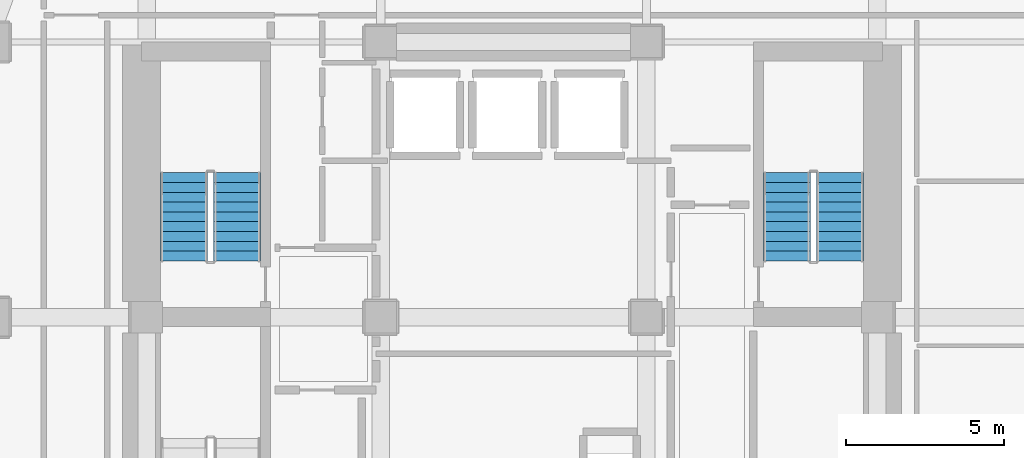
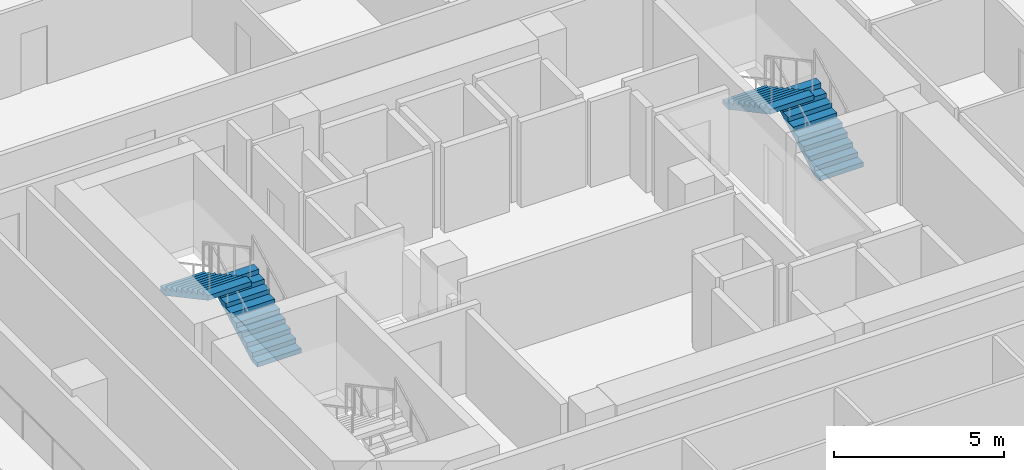
# One storey, part 7 of 11: 4 stair flights, 2 elements without a shape of their own.
"""IFC4 building model written with IfcOpenShell, lengths in metres."""

from ifc_helpers import new_model, si_unit, direction, frame, origin, place, context, subcontext, project, spatial, polyline, outline, extrude, material, type_object, element, aggregate, save


model = new_model("IFC4")

# Units and contexts
model_context = context("Model", 3, precision=1e-05, world=origin(), true_north=direction((0.0, 1.0)))
body_context = subcontext(model_context, "Body", "Model", "MODEL_VIEW")
ifc_project = project(units=[si_unit("LENGTHUNIT", "METRE"), si_unit("AREAUNIT", "SQUARE_METRE"), si_unit("VOLUMEUNIT", "CUBIC_METRE"), si_unit("PLANEANGLEUNIT", "RADIAN"), si_unit("MASSUNIT", "GRAM", prefix="KILO")], contexts=[model_context])

# Site, building, storey
site_placement = place(None, origin())
site = spatial("IfcSite", under=ifc_project, at=site_placement, CompositionType="ELEMENT")
building_placement = place(site_placement, origin())
building = spatial("IfcBuilding", under=site, at=building_placement, Name="Solanera Arch Residences", CompositionType="ELEMENT")
storey_placement = place(building_placement, frame((0.0, 0.0, 75.1201171875)))
storey = spatial("IfcBuildingStorey", under=building, at=storey_placement, Name="L21", CompositionType="ELEMENT", Elevation=75.1201171875)

# Stair, stair flights
ifc_material_1 = material(Name="Concrete C40/50 (f'c = 45 MPa)", Category="concrete")
stair_type = type_object("IfcStairType", Name="Tower Dogleg Exit Stair 1480", PredefinedType="HALF_TURN_STAIR", material=ifc_material_1)
stair_1_placement = place(storey_placement, origin())
stair_1 = element("IfcStair", 1, at=stair_1_placement, inside=storey, type_object=stair_type, Name="L21 Tower Core Exit Stair 1", PredefinedType="HALF_TURN_STAIR")
ifc_material_2 = material(Name="Concrete C40/50 (f'c = 45 MPa)", Category="concrete")
stair_flight_type = type_object("IfcStairFlightType", Name="Tower Precast Stair Flight 1480", PredefinedType="STRAIGHT", material=ifc_material_2)
stair_flight_1_placement = place(storey_placement, frame((16.260009765625, 32.47998046875, 0.0), z_axis=(0.0, 0.0, 1.0), x_axis=(0.0, 1.0, 0.0)))
stair_flight_1 = element("IfcStairFlight", 2, at=stair_flight_1_placement, type_object=stair_flight_type, Name="ST-T1 flight 1", NumberOfRisers=10, NumberOfTreads=9, PredefinedType="STRAIGHT", RiserHeight=0.166, TreadLength=0.31, context=body_context, shape_type="SweptSolid", body=[
    extrude(outline(polyline([(0.0, 0.0), (0.0, 0.166015625), (0.31005859375, 0.166015625), (0.31005859375, 0.33203125), (0.6201171875, 0.33203125), (0.6201171875, 0.498046875), (0.929931640625, 0.498046875), (0.929931640625, 0.6640625), (1.239990234375, 0.6640625), (1.239990234375, 0.830078125), (1.550048828125, 0.830078125), (1.550048828125, 0.99609375), (1.860107421875, 0.99609375), (1.860107421875, 1.162109375), (2.169921875, 1.162109375), (2.169921875, 1.327880859375), (2.47998046875, 1.327880859375), (2.47998046875, 1.493896484375), (2.7900390625, 1.493896484375), (2.7900390625, 1.659912109375), (2.7900390625, 1.323974609375), (0.317626953125, 0.0), (0.0, 0.0)])), frame((0.0, 0.739990234375, 0.0), z_axis=(0.0, -1.0, 0.0), x_axis=(1.0, 0.0, 0.0)), (0.0, 0.0, 1.0), 1.47998046875),
])
stair_flight_2_placement = place(storey_placement, frame((14.580078125, 35.27001953125, 1.659912109375), z_axis=(0.0, 0.0, 1.0), x_axis=(0.0, -1.0, 0.0)))
stair_flight_2 = element("IfcStairFlight", 3, at=stair_flight_2_placement, type_object=stair_flight_type, Name="ST-T1 flight 2", NumberOfRisers=10, NumberOfTreads=9, PredefinedType="STRAIGHT", RiserHeight=0.166, TreadLength=0.31, context=body_context, shape_type="SweptSolid", body=[
    extrude(outline(polyline([(0.0, 0.0), (0.0, 0.166015625), (0.31005859375, 0.166015625), (0.31005859375, 0.33203125), (0.6201171875, 0.33203125), (0.6201171875, 0.498046875), (0.929931640625, 0.498046875), (0.929931640625, 0.6640625), (1.239990234375, 0.6640625), (1.239990234375, 0.830078125), (1.550048828125, 0.830078125), (1.550048828125, 0.99609375), (1.860107421875, 0.99609375), (1.860107421875, 1.162109375), (2.169921875, 1.162109375), (2.169921875, 1.327880859375), (2.47998046875, 1.327880859375), (2.47998046875, 1.493896484375), (2.7900390625, 1.493896484375), (2.7900390625, 1.659912109375), (2.7900390625, 1.323974609375), (0.317626953125, 0.0), (0.0, 0.0)])), frame((0.0, 0.739990234375, 0.0), z_axis=(0.0, -1.0, 0.0), x_axis=(1.0, 0.0, 0.0)), (0.0, 0.0, 1.0), 1.47998046875),
])
aggregate(stair_1, [stair_flight_1, stair_flight_2])

stair_2_placement = place(storey_placement, origin())
stair_2 = element("IfcStair", 4, at=stair_2_placement, inside=storey, type_object=stair_type, Name="L21 Tower Core Exit Stair 2", PredefinedType="HALF_TURN_STAIR")
stair_flight_3_placement = place(storey_placement, frame((35.320068359375, 32.47998046875, 0.0), z_axis=(0.0, 0.0, 1.0), x_axis=(0.0, 1.0, 0.0)))
stair_flight_3 = element("IfcStairFlight", 5, at=stair_flight_3_placement, type_object=stair_flight_type, Name="ST-T2 flight 1", NumberOfRisers=10, NumberOfTreads=9, PredefinedType="STRAIGHT", RiserHeight=0.166, TreadLength=0.31, context=body_context, shape_type="SweptSolid", body=[
    extrude(outline(polyline([(0.0, 0.0), (0.0, 0.166015625), (0.31005859375, 0.166015625), (0.31005859375, 0.33203125), (0.6201171875, 0.33203125), (0.6201171875, 0.498046875), (0.929931640625, 0.498046875), (0.929931640625, 0.6640625), (1.239990234375, 0.6640625), (1.239990234375, 0.830078125), (1.550048828125, 0.830078125), (1.550048828125, 0.99609375), (1.860107421875, 0.99609375), (1.860107421875, 1.162109375), (2.169921875, 1.162109375), (2.169921875, 1.327880859375), (2.47998046875, 1.327880859375), (2.47998046875, 1.493896484375), (2.7900390625, 1.493896484375), (2.7900390625, 1.659912109375), (2.7900390625, 1.323974609375), (0.317626953125, 0.0), (0.0, 0.0)])), frame((0.0, 0.739990234375, 0.0), z_axis=(0.0, -1.0, 0.0), x_axis=(1.0, 0.0, 0.0)), (0.0, 0.0, 1.0), 1.47998046875),
])
stair_flight_4_placement = place(storey_placement, frame((33.639892578125, 35.27001953125, 1.659912109375), z_axis=(0.0, 0.0, 1.0), x_axis=(0.0, -1.0, 0.0)))
stair_flight_4 = element("IfcStairFlight", 6, at=stair_flight_4_placement, type_object=stair_flight_type, Name="ST-T2 flight 2", NumberOfRisers=10, NumberOfTreads=9, PredefinedType="STRAIGHT", RiserHeight=0.166, TreadLength=0.31, context=body_context, shape_type="SweptSolid", body=[
    extrude(outline(polyline([(0.0, 0.0), (0.0, 0.166015625), (0.31005859375, 0.166015625), (0.31005859375, 0.33203125), (0.6201171875, 0.33203125), (0.6201171875, 0.498046875), (0.929931640625, 0.498046875), (0.929931640625, 0.6640625), (1.239990234375, 0.6640625), (1.239990234375, 0.830078125), (1.550048828125, 0.830078125), (1.550048828125, 0.99609375), (1.860107421875, 0.99609375), (1.860107421875, 1.162109375), (2.169921875, 1.162109375), (2.169921875, 1.327880859375), (2.47998046875, 1.327880859375), (2.47998046875, 1.493896484375), (2.7900390625, 1.493896484375), (2.7900390625, 1.659912109375), (2.7900390625, 1.323974609375), (0.317626953125, 0.0), (0.0, 0.0)])), frame((0.0, 0.739990234375, 0.0), z_axis=(0.0, -1.0, 0.0), x_axis=(1.0, 0.0, 0.0)), (0.0, 0.0, 1.0), 1.47998046875),
])
aggregate(stair_2, [stair_flight_3, stair_flight_4])

save(model, "model.ifc")
